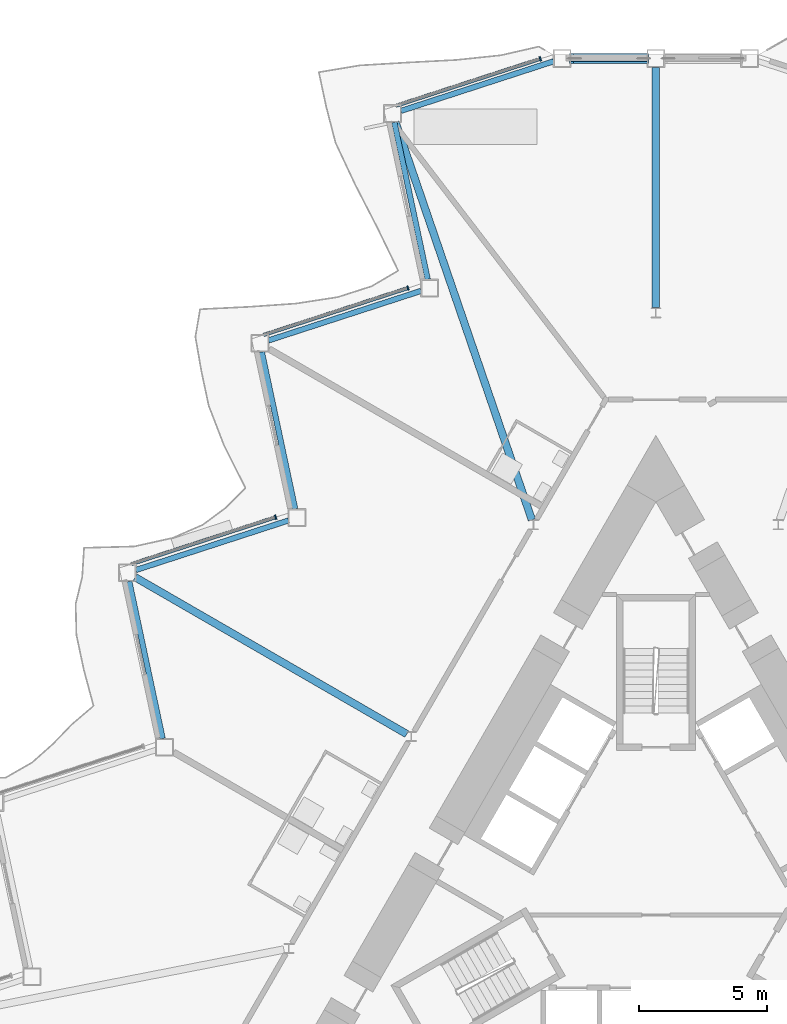
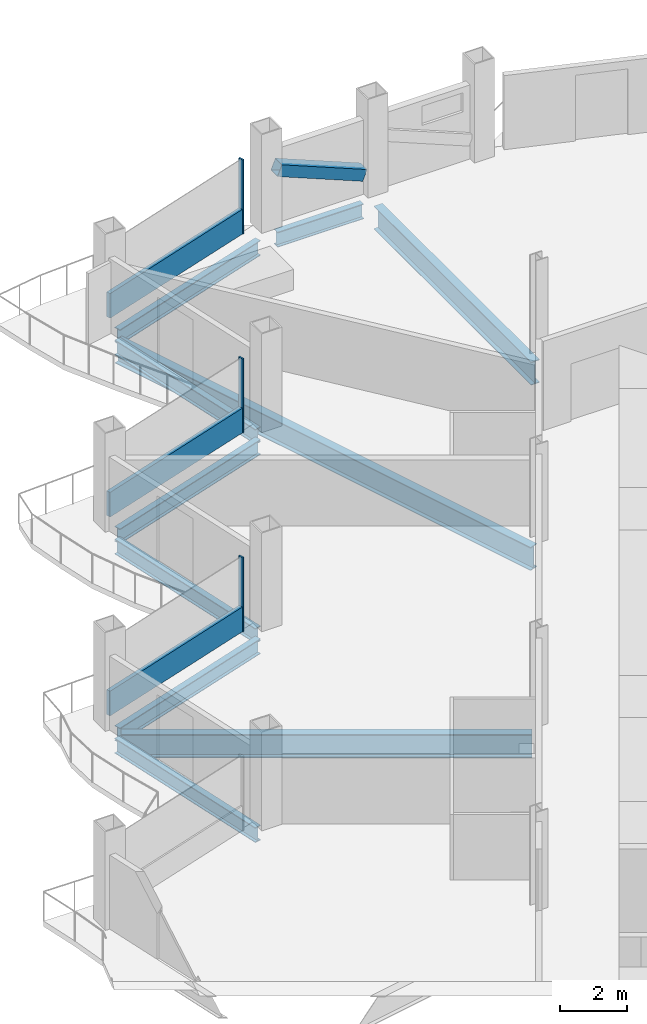
# One storey, part 8 of 23: 10 beams, 7 members, 3 elements without a shape of their own.
"""IFC4 building model written with IfcOpenShell, lengths in metres."""

from ifc_helpers import new_model, si_unit, direction, frame, origin, origin_2d, place, context, subcontext, project, spatial, rectangle, hollow_rectangle, i_section, extrude, material, layer, layer_set, material_profile, profile_set, type_object, element, aggregate, save


model = new_model("IFC4")

# Units and contexts
model_context = context("Model", 3, precision=1e-05, world=origin(), true_north=direction((0.0, 1.0)))
body_context = subcontext(model_context, "Body", "Model", "MODEL_VIEW")
ifc_project = project(units=[si_unit("LENGTHUNIT", "METRE"), si_unit("AREAUNIT", "SQUARE_METRE"), si_unit("VOLUMEUNIT", "CUBIC_METRE"), si_unit("PLANEANGLEUNIT", "RADIAN"), si_unit("MASSUNIT", "GRAM", prefix="KILO")], contexts=[model_context])

# Site, building, storey
site_placement = place(None, origin())
site = spatial("IfcSite", under=ifc_project, at=site_placement, CompositionType="ELEMENT")
building_placement = place(site_placement, origin())
building = spatial("IfcBuilding", under=site, at=building_placement, Name="Cormorant Prow Tower", CompositionType="ELEMENT")
storey_placement = place(building_placement, frame((0.0, 0.0, 256.199951171875)))
storey = spatial("IfcBuildingStorey", under=building, at=storey_placement, Name="L57", CompositionType="ELEMENT", Elevation=256.199951171875)

# Member
ifc_material_1 = material(Name="Structural steel ASTM A500 Gr C", Category="steel")
ifc_material_profile_1 = material_profile(ifc_material_1, hollow_rectangle(XDim=0.406494140625, YDim=0.406494140625, WallThickness=0.01171875, at=origin_2d()), Name="HSS16x16x1/2")
ifc_profile_set_1 = profile_set([ifc_material_profile_1], Name="Structural steel ASTM A500 Gr C")
member_type_1 = type_object("IfcMemberType", Name="Chamfer brace HSS16x16x1/2", PredefinedType="BRACE", material=ifc_profile_set_1)
member_1_placement = place(storey_placement, frame((-0.36572265625, 32.073486328125, 0.74951171875), z_axis=(-0.925591042089, 0.0, 0.37852506232), x_axis=(0.0, -1.0, 0.0)))
element("IfcMember", 1, at=member_1_placement, inside=storey, type_object=member_type_1, Name="Chamfer brace BR2 at N01 L57", PredefinedType="BRACE", context=body_context, shape_type="SweptSolid", body=[
    extrude(hollow_rectangle(XDim=0.406494140625, YDim=0.406494140625, WallThickness=0.01171875, at=origin_2d()), origin(), (0.0, 0.0, 1.0), 3.17529296875),
])

# Curtain wall, member
ifc_material_2 = material(Name="Aluminium 6063-T6", Category="aluminium")
ifc_layer = layer(ifc_material_2, 0.179931640625)
ifc_layer_set = layer_set([ifc_layer], Name="Aluminium 6063-T6")
curtain_wall_type = type_object("IfcCurtainWallType", Name="Hotel unitised curtain wall 180", PredefinedType="NOTDEFINED", material=ifc_layer_set)
curtain_wall_1_placement = place(storey_placement, origin())
curtain_wall_1 = element("IfcCurtainWall", 2, at=curtain_wall_1_placement, inside=storey, type_object=curtain_wall_type, Name="Hotel curtain wall WNW00", PredefinedType="NOTDEFINED")
ifc_material_3 = material(Name="Aluminium 6063-T6", Category="aluminium")
ifc_material_profile_2 = material_profile(ifc_material_3, rectangle(XDim=0.179931640625, YDim=0.06005859375, at=origin_2d()), Name="Hotel mullion 60x180")
ifc_profile_set_2 = profile_set([ifc_material_profile_2], Name="Aluminium 6063-T6")
member_type_2 = type_object("IfcMemberType", Name="Hotel mullion 60x180", PredefinedType="MULLION", material=ifc_profile_set_2)
member_2_placement = place(storey_placement, frame((-4.524658203125, 32.060546875, 0.0), z_axis=(0.0, 0.0, 1.0), x_axis=(0.309016939349, -0.951056534174, 0.0)))
member_2 = element("IfcMember", 3, at=member_2_placement, type_object=member_type_2, Name="Hotel mullion WNW00", PredefinedType="MULLION", context=body_context, shape_type="SweptSolid", body=[
    extrude(rectangle(XDim=0.179931640625, YDim=0.06005859375, at=origin_2d()), origin(), (0.0, 0.0, 1.0), 2.700927734375),
])

curtain_wall_2_placement = place(storey_placement, origin())
curtain_wall_2 = element("IfcCurtainWall", 4, at=curtain_wall_2_placement, inside=storey, type_object=curtain_wall_type, Name="Hotel curtain wall WNW02", PredefinedType="NOTDEFINED")
member_3_placement = place(storey_placement, frame((-9.704345703125, 23.08935546875, 0.0), z_axis=(0.0, 0.0, 1.0), x_axis=(0.309016939349, -0.951056534174, 0.0)))
member_3 = element("IfcMember", 5, at=member_3_placement, type_object=member_type_2, Name="Hotel mullion WNW02", PredefinedType="MULLION", context=body_context, shape_type="SweptSolid", body=[
    extrude(rectangle(XDim=0.179931640625, YDim=0.06005859375, at=origin_2d()), origin(), (0.0, 0.0, 1.0), 2.700927734375),
])

curtain_wall_3_placement = place(storey_placement, origin())
curtain_wall_3 = element("IfcCurtainWall", 6, at=curtain_wall_3_placement, inside=storey, type_object=curtain_wall_type, Name="Hotel curtain wall WNW04", PredefinedType="NOTDEFINED")
member_4_placement = place(storey_placement, frame((-14.8837890625, 14.1181640625, 0.0), z_axis=(0.0, 0.0, 1.0), x_axis=(0.309017069121, -0.951056492009, 0.0)))
member_4 = element("IfcMember", 7, at=member_4_placement, type_object=member_type_2, Name="Hotel mullion WNW04", PredefinedType="MULLION", context=body_context, shape_type="SweptSolid", body=[
    extrude(rectangle(XDim=0.179931640625, YDim=0.06005859375, at=origin_2d()), origin(), (0.0, 0.0, 1.0), 2.700927734375),
])

# Member
ifc_material_4 = material(Name="Terracotta", Category="masonry")
ifc_material_profile_3 = material_profile(ifc_material_4, rectangle(XDim=0.139892578125, YDim=0.89990234375, at=origin_2d()), Name="Hotel terracotta spandrel rail 140x900")
ifc_profile_set_3 = profile_set([ifc_material_profile_3], Name="Terracotta")
member_type_3 = type_object("IfcMemberType", Name="Hotel terracotta spandrel rail 140x900", PredefinedType="USERDEFINED", material=ifc_profile_set_3)
member_5_placement = place(storey_placement, frame((-4.55322265625, 32.05126953125, 0.449951171875), z_axis=(-0.951065040559, -0.308990758158, 0.0), x_axis=(0.308990758158, -0.951065040559, 0.0)))
member_5 = element("IfcMember", 8, at=member_5_placement, type_object=member_type_3, Name="Hotel spandrel rail WNW00", ObjectType="TRANSOM", PredefinedType="USERDEFINED", context=body_context, shape_type="SweptSolid", body=[
    extrude(rectangle(XDim=0.139892578125, YDim=0.89990234375, at=origin_2d()), origin(), (0.0, 0.0, 1.0), 5.90771484375),
])

aggregate(curtain_wall_1, [member_2, member_5])

member_6_placement = place(storey_placement, frame((-9.732666015625, 23.080078125, 0.449951171875), z_axis=(-0.951065040559, -0.308990758158, 0.0), x_axis=(0.308990758158, -0.951065040559, 0.0)))
member_6 = element("IfcMember", 9, at=member_6_placement, type_object=member_type_3, Name="Hotel spandrel rail WNW02", ObjectType="TRANSOM", PredefinedType="USERDEFINED", context=body_context, shape_type="SweptSolid", body=[
    extrude(rectangle(XDim=0.139892578125, YDim=0.89990234375, at=origin_2d()), origin(), (0.0, 0.0, 1.0), 5.90771484375),
])

aggregate(curtain_wall_2, [member_3, member_6])

member_7_placement = place(storey_placement, frame((-14.912353515625, 14.10888671875, 0.449951171875), z_axis=(-0.951061094762, -0.309002902948, 0.0), x_axis=(0.309002902948, -0.951061094762, 0.0)))
member_7 = element("IfcMember", 10, at=member_7_placement, type_object=member_type_3, Name="Hotel spandrel rail WNW04", ObjectType="TRANSOM", PredefinedType="USERDEFINED", context=body_context, shape_type="SweptSolid", body=[
    extrude(rectangle(XDim=0.139892578125, YDim=0.89990234375, at=origin_2d()), origin(), (0.0, 0.0, 1.0), 5.907470703125),
])

aggregate(curtain_wall_3, [member_4, member_7])

# Beams
ifc_material_5 = material(Name="Structural steel ASTM A992 Gr 50", Category="steel")
ifc_material_profile_4 = material_profile(ifc_material_5, i_section(OverallWidth=0.29296875, OverallDepth=0.845703125, WebThickness=0.015380859375, FlangeThickness=0.0244140625, at=origin_2d()), Name="W33x141")
ifc_profile_set_4 = profile_set([ifc_material_profile_4], Name="Structural steel ASTM A992 Gr 50")
beam_type_1 = type_object("IfcBeamType", Name="Radial floor beam W33x141", PredefinedType="BEAM", material=ifc_profile_set_4)
beam_1_placement = place(storey_placement, frame((0.0, 22.320068359375, -0.77294921875), z_axis=(0.0, 1.0, 0.0), x_axis=(-1.0, 0.0, 0.0)))
element("IfcBeam", 11, at=beam_1_placement, inside=storey, type_object=beam_type_1, Name="Radial floor beam FB2 1 L57", PredefinedType="BEAM", context=body_context, shape_type="SweptSolid", body=[
    extrude(i_section(OverallWidth=0.29296875, OverallDepth=0.845703125, WebThickness=0.015380859375, FlangeThickness=0.0244140625, at=origin_2d()), origin(), (0.0, 0.0, 1.0), 9.4033203125),
])
beam_2_placement = place(storey_placement, frame((-4.85400390625, 14.013916015625, -0.77294921875), z_axis=(-0.324535507117, 0.945873514071, 0.0), x_axis=(-0.945873514071, -0.324535507117, 0.0)))
element("IfcBeam", 12, at=beam_2_placement, inside=storey, type_object=beam_type_1, Name="Radial floor beam FB2 2 L57", PredefinedType="BEAM", context=body_context, shape_type="SweptSolid", body=[
    extrude(i_section(OverallWidth=0.29296875, OverallDepth=0.845703125, WebThickness=0.015380859375, FlangeThickness=0.0244140625, at=origin_2d()), origin(), (0.0, 0.0, 1.0), 16.462158203125),
])
beam_3_placement = place(storey_placement, frame((-9.751220703125, 5.6298828125, -0.77294921875), z_axis=(-0.866021995826, 0.500005902711, 0.0), x_axis=(-0.500005902711, -0.866021995826, 0.0)))
element("IfcBeam", 13, at=beam_3_placement, inside=storey, type_object=beam_type_1, Name="Radial floor beam FB2 3 L57", PredefinedType="BEAM", context=body_context, shape_type="SweptSolid", body=[
    extrude(i_section(OverallWidth=0.29296875, OverallDepth=0.845703125, WebThickness=0.015380859375, FlangeThickness=0.0244140625, at=origin_2d()), origin(), (0.0, 0.0, 1.0), 12.277099609375),
])
ifc_material_6 = material(Name="Structural steel ASTM A992 Gr 50", Category="steel")
ifc_material_profile_5 = material_profile(ifc_material_6, i_section(OverallWidth=0.2138671875, OverallDepth=0.549072265625, WebThickness=0.0146484375, FlangeThickness=0.023681640625, at=origin_2d()), Name="W21x93")
ifc_profile_set_5 = profile_set([ifc_material_profile_5], Name="Structural steel ASTM A992 Gr 50")
beam_type_2 = type_object("IfcBeamType", Name="Spandrel beam W21x93", PredefinedType="SPANDREL", material=ifc_profile_set_5)
beam_4_placement = place(storey_placement, frame((-0.35009765625, 32.073486328125, -0.62451171875), z_axis=(-1.0, 0.0, 0.0), x_axis=(0.0, -1.0, 0.0)))
element("IfcBeam", 14, at=beam_4_placement, inside=storey, type_object=beam_type_2, Name="Spandrel beam SB2 N01-WNW00 L57", PredefinedType="SPANDREL", context=body_context, shape_type="SweptSolid", body=[
    extrude(i_section(OverallWidth=0.2138671875, OverallDepth=0.549072265625, WebThickness=0.0146484375, FlangeThickness=0.023681640625, at=origin_2d()), origin(), (0.0, 0.0, 1.0), 2.97021484375),
])
for number, where, z_axis, x_axis, name in (
    (15, (-4.003173828125, 31.96533203125, -0.62451171875), (-0.951054060056, -0.309024553801, 0.0), (0.309024553801, -0.951054060056, 0.0), "Spandrel beam SB2 WNW00-WNW01 L57"),
    (16, (-10.2373046875, 29.57373046875, -0.62451171875), (0.207896407679, -0.97815084914, 0.0), (0.97815084914, 0.207896407679, 0.0), "Spandrel beam SB2 WNW01-WNW02 L57"),
):
    element("IfcBeam", number, at=place(storey_placement, frame(where, z_axis=z_axis, x_axis=x_axis)), inside=storey, type_object=beam_type_2, Name=name, PredefinedType="SPANDREL", context=body_context, shape_type="SweptSolid", body=[
        extrude(i_section(OverallWidth=0.2138671875, OverallDepth=0.549072265625, WebThickness=0.0146484375, FlangeThickness=0.023681640625, at=origin_2d()), origin(), (0.0, 0.0, 1.0), 6.281494140625),
    ])
beam_5_placement = place(storey_placement, frame((-9.191650390625, 22.97900390625, -0.62451171875), z_axis=(-0.951050348284, -0.309035976918, 0.0), x_axis=(0.309035976918, -0.951050348284, 0.0)))
element("IfcBeam", 17, at=beam_5_placement, inside=storey, type_object=beam_type_2, Name="Spandrel beam SB2 WNW02-WNW03 L57", PredefinedType="SPANDREL", context=body_context, shape_type="SweptSolid", body=[
    extrude(i_section(OverallWidth=0.2138671875, OverallDepth=0.549072265625, WebThickness=0.0146484375, FlangeThickness=0.023681640625, at=origin_2d()), origin(), (0.0, 0.0, 1.0), 6.28125),
])
beam_6_placement = place(storey_placement, frame((-15.42578125, 20.58740234375, -0.62451171875), z_axis=(0.207933593793, -0.978142944856, 0.0), x_axis=(0.978142944856, 0.207933593793, 0.0)))
element("IfcBeam", 18, at=beam_6_placement, inside=storey, type_object=beam_type_2, Name="Spandrel beam SB2 WNW03-WNW04 L57", PredefinedType="SPANDREL", context=body_context, shape_type="SweptSolid", body=[
    extrude(i_section(OverallWidth=0.2138671875, OverallDepth=0.549072265625, WebThickness=0.0146484375, FlangeThickness=0.023681640625, at=origin_2d()), origin(), (0.0, 0.0, 1.0), 6.281494140625),
])
beam_7_placement = place(storey_placement, frame((-14.3798828125, 13.99267578125, -0.62451171875), z_axis=(-0.951050348284, -0.309035976918, 0.0), x_axis=(0.309035976918, -0.951050348284, 0.0)))
element("IfcBeam", 19, at=beam_7_placement, inside=storey, type_object=beam_type_2, Name="Spandrel beam SB2 WNW04-WNW05 L57", PredefinedType="SPANDREL", context=body_context, shape_type="SweptSolid", body=[
    extrude(i_section(OverallWidth=0.2138671875, OverallDepth=0.549072265625, WebThickness=0.0146484375, FlangeThickness=0.023681640625, at=origin_2d()), origin(), (0.0, 0.0, 1.0), 6.28125),
])
beam_8_placement = place(storey_placement, frame((-20.614013671875, 11.60107421875, -0.62451171875), z_axis=(0.207933593793, -0.978142944856, 0.0), x_axis=(0.978142944856, 0.207933593793, 0.0)))
element("IfcBeam", 20, at=beam_8_placement, inside=storey, type_object=beam_type_2, Name="Spandrel beam SB2 WNW05-WNW06 L57", PredefinedType="SPANDREL", context=body_context, shape_type="SweptSolid", body=[
    extrude(i_section(OverallWidth=0.2138671875, OverallDepth=0.549072265625, WebThickness=0.0146484375, FlangeThickness=0.023681640625, at=origin_2d()), origin(), (0.0, 0.0, 1.0), 6.281494140625),
])

save(model, "model.ifc")
